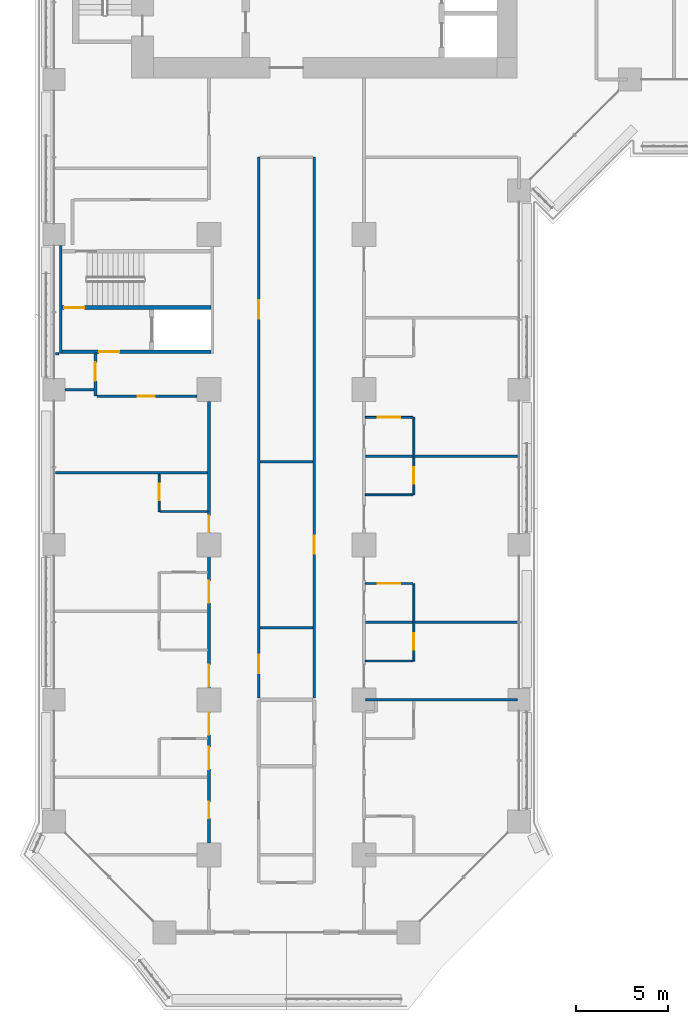
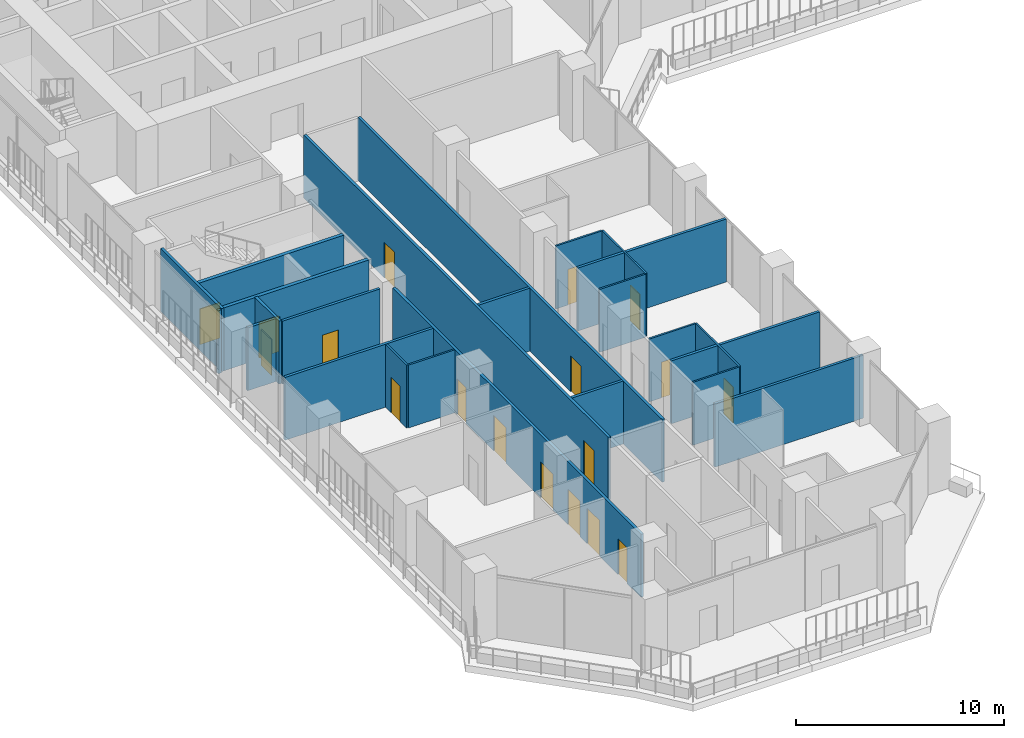
# One storey, part 13 of 28: 24 walls, 18 doors, 18 openings.
"""IFC4 building model written with IfcOpenShell, lengths in metres."""

from ifc_helpers import new_model, si_unit, direction, frame, frame_2d, origin, place, context, subcontext, project, spatial, rectangle, extrude, material, layer, layer_set, type_object, element, fill, save


model = new_model("IFC4")

# Units and contexts
model_context = context("Model", 3, precision=1e-05, world=origin(), true_north=direction((0.0, 1.0)))
body_context = subcontext(model_context, "Body", "Model", "MODEL_VIEW")
ifc_project = project(units=[si_unit("LENGTHUNIT", "METRE"), si_unit("AREAUNIT", "SQUARE_METRE"), si_unit("VOLUMEUNIT", "CUBIC_METRE"), si_unit("PLANEANGLEUNIT", "RADIAN"), si_unit("MASSUNIT", "GRAM", prefix="KILO")], contexts=[model_context])

# Site, building, storey
site_placement = place(None, origin())
site = spatial("IfcSite", under=ifc_project, at=site_placement, CompositionType="ELEMENT")
building_placement = place(site_placement, origin())
building = spatial("IfcBuilding", under=site, at=building_placement, Name="Kawkab Arch Medical Tower", CompositionType="ELEMENT")
storey_placement = place(building_placement, frame((0.0, 0.0, 89.60009765625)))
storey = spatial("IfcBuildingStorey", under=building, at=storey_placement, Name="L20", CompositionType="ELEMENT", Elevation=89.60009765625)

# Wall
ifc_material_1 = material(Name="Gypsum board partition on steel studs", Category="steel")
ifc_layer_1 = layer(ifc_material_1, 0.10009765625)
ifc_layer_set_1 = layer_set([ifc_layer_1], Name="Gypsum board partition on steel studs")
wall_type_1 = type_object("IfcWallType", Name="Partition 100", PredefinedType="PARTITIONING", material=ifc_layer_set_1)
wall_1_placement = place(storey_placement, frame((16.875, -56.699951171875, 0.0), z_axis=(0.0, 0.0, 1.0), x_axis=(1.0, 0.0, 0.0)))
element("IfcWall", 1, at=wall_1_placement, inside=storey, type_object=wall_type_1, Name="Partition 100 w004", PredefinedType="PARTITIONING", context=body_context, shape_type="SweptSolid", body=[
    extrude(rectangle(XDim=2.574951171875, YDim=0.10009765625, at=frame_2d((1.28759765625, 0.0))), origin(), (0.0, 0.0, 1.0), 3.699951171875),
])

# Wall, opening, door
wall_2_placement = place(storey_placement, frame((16.875, -52.5, 0.0), z_axis=(0.0, 0.0, 1.0), x_axis=(1.0, 0.0, 0.0)))
wall_2 = element("IfcWall", 2, at=wall_2_placement, inside=storey, type_object=wall_type_1, Name="Partition 100 w006", PredefinedType="PARTITIONING", context=body_context, shape_type="SweptSolid", body=[
    extrude(rectangle(XDim=2.574951171875, YDim=0.10009765625, at=frame_2d((1.28759765625, 0.0))), origin(), (0.0, 0.0, 1.0), 3.699951171875),
])
opening_1_placement = place(wall_2_placement, frame((0.675048828125, 0.0, 0.0)))
opening_1 = element("IfcOpeningElement", 3, at=opening_1_placement, cuts=wall_2, Name="Opening W13B-080", PredefinedType="OPENING", context=body_context, shape_type="SweptSolid", body=[
    extrude(rectangle(XDim=1.199951171875, YDim=2.10009765625, at=frame_2d((0.60009765625, 1.050048828125))), frame((0.0, 0.06005859375, 0.0), z_axis=(0.0, -1.0, 0.0), x_axis=(1.0, 0.0, 0.0)), (0.0, 0.0, 1.0), 0.1201171875),
])
ifc_material_2 = material(Name="Timber door leaf", Category="wood")
door_type_1 = type_object("IfcDoorType", Name="Single door 1200x2100", OperationType="NOTDEFINED", PredefinedType="DOOR", material=ifc_material_2)
door_1_placement = place(opening_1_placement, origin())
door_1 = element("IfcDoor", 4, at=door_1_placement, inside=storey, type_object=door_type_1, Name="Door W13B-080", OperationType="SINGLE_SWING_LEFT", OverallHeight=2.10009765625, OverallWidth=1.199951171875, PredefinedType="DOOR", context=body_context, shape_type="SweptSolid", body=[
    extrude(rectangle(XDim=1.199951171875, YDim=2.10009765625, at=frame_2d((0.60009765625, 1.050048828125))), frame((0.0, 0.02490234375, 0.0), z_axis=(0.0, -1.0, 0.0), x_axis=(1.0, 0.0, 0.0)), (0.0, 0.0, 1.0), 0.050048828125),
])
fill(opening_1, door_1)

# Walls
for number, where, z_axis, x_axis, name in (
    (5, (5.75, -48.60009765625, 0.0), (0.0, 0.0, 1.0), (1.0, 0.0, 0.0), "Partition 100 w008"),
    (6, (16.875, -47.699951171875, 0.0), (0.0, 0.0, 1.0), (1.0, 0.0, 0.0), "Partition 100 w009"),
):
    element("IfcWall", number, at=place(storey_placement, frame(where, z_axis=z_axis, x_axis=x_axis)), inside=storey, type_object=wall_type_1, Name=name, PredefinedType="PARTITIONING", context=body_context, shape_type="SweptSolid", body=[
        extrude(rectangle(XDim=2.574951171875, YDim=0.10009765625, at=frame_2d((1.28759765625, 0.0))), origin(), (0.0, 0.0, 1.0), 3.699951171875),
    ])

# Wall, opening, door
wall_3_placement = place(storey_placement, frame((16.875, -43.5, 0.0), z_axis=(0.0, 0.0, 1.0), x_axis=(1.0, 0.0, 0.0)))
wall_3 = element("IfcWall", 7, at=wall_3_placement, inside=storey, type_object=wall_type_1, Name="Partition 100 w010", PredefinedType="PARTITIONING", context=body_context, shape_type="SweptSolid", body=[
    extrude(rectangle(XDim=2.574951171875, YDim=0.10009765625, at=frame_2d((1.28759765625, 0.0))), origin(), (0.0, 0.0, 1.0), 3.699951171875),
])
opening_2_placement = place(wall_3_placement, frame((0.675048828125, 0.0, 0.0)))
opening_2 = element("IfcOpeningElement", 8, at=opening_2_placement, cuts=wall_3, Name="Opening W13B-076", PredefinedType="OPENING", context=body_context, shape_type="SweptSolid", body=[
    extrude(rectangle(XDim=1.199951171875, YDim=2.10009765625, at=frame_2d((0.60009765625, 1.050048828125))), frame((0.0, 0.06005859375, 0.0), z_axis=(0.0, -1.0, 0.0), x_axis=(1.0, 0.0, 0.0)), (0.0, 0.0, 1.0), 0.1201171875),
])
door_2_placement = place(opening_2_placement, origin())
door_2 = element("IfcDoor", 9, at=door_2_placement, inside=storey, type_object=door_type_1, Name="Door W13B-076", OperationType="SINGLE_SWING_RIGHT", OverallHeight=2.10009765625, OverallWidth=1.199951171875, PredefinedType="DOOR", context=body_context, shape_type="SweptSolid", body=[
    extrude(rectangle(XDim=1.199951171875, YDim=2.10009765625, at=frame_2d((0.60009765625, 1.050048828125))), frame((0.0, 0.02490234375, 0.0), z_axis=(0.0, -1.0, 0.0), x_axis=(1.0, 0.0, 0.0)), (0.0, 0.0, 1.0), 0.050048828125),
])
fill(opening_2, door_2)

wall_4_placement = place(storey_placement, frame((5.699951171875, -48.60009765625, 0.0), z_axis=(0.0, 0.0, 1.0), x_axis=(0.0, 1.0, 0.0)))
wall_4 = element("IfcWall", 10, at=wall_4_placement, inside=storey, type_object=wall_type_1, Name="Partition 100 w023", PredefinedType="PARTITIONING", context=body_context, shape_type="SweptSolid", body=[
    extrude(rectangle(XDim=2.025146484375, YDim=0.10009765625, at=frame_2d((1.0126953125, 0.0))), origin(), (0.0, 0.0, 1.0), 3.699951171875),
])
opening_3_placement = place(wall_4_placement, frame((0.60009765625, 0.0, 0.0)))
opening_3 = element("IfcOpeningElement", 11, at=opening_3_placement, cuts=wall_4, Name="Opening W13B-010", PredefinedType="OPENING", context=body_context, shape_type="SweptSolid", body=[
    extrude(rectangle(XDim=0.89990234375, YDim=2.10009765625, at=frame_2d((0.449951171875, 1.050048828125))), frame((0.0, 0.06005859375, 0.0), z_axis=(0.0, -1.0, 0.0), x_axis=(1.0, 0.0, 0.0)), (0.0, 0.0, 1.0), 0.1201171875),
])
ifc_material_3 = material(Name="Timber door leaf", Category="wood")
door_type_2 = type_object("IfcDoorType", Name="Single door 900x2100", OperationType="NOTDEFINED", PredefinedType="DOOR", material=ifc_material_3)
door_3_placement = place(opening_3_placement, origin())
door_3 = element("IfcDoor", 12, at=door_3_placement, inside=storey, type_object=door_type_2, Name="Door W13B-010", OperationType="SINGLE_SWING_LEFT", OverallHeight=2.10009765625, OverallWidth=0.89990234375, PredefinedType="DOOR", context=body_context, shape_type="SweptSolid", body=[
    extrude(rectangle(XDim=0.89990234375, YDim=2.10009765625, at=frame_2d((0.449951171875, 1.050048828125))), frame((0.0, 0.02490234375, 0.0), z_axis=(0.0, -1.0, 0.0), x_axis=(1.0, 0.0, 0.0)), (0.0, 0.0, 1.0), 0.050048828125),
])
fill(opening_3, door_3)

wall_5_placement = place(storey_placement, frame((19.5, -56.699951171875, 0.0), z_axis=(0.0, 0.0, 1.0), x_axis=(0.0, 1.0, 0.0)))
wall_5 = element("IfcWall", 13, at=wall_5_placement, inside=storey, type_object=wall_type_1, Name="Partition 100 w026", PredefinedType="PARTITIONING", context=body_context, shape_type="SweptSolid", body=[
    extrude(rectangle(XDim=4.199951171875, YDim=0.10009765625, at=frame_2d((2.10009765625, 0.0))), origin(), (0.0, 0.0, 1.0), 3.699951171875),
])
opening_4_placement = place(wall_5_placement, frame((0.60009765625, 0.0, 0.0)))
opening_4 = element("IfcOpeningElement", 14, at=opening_4_placement, cuts=wall_5, Name="Opening W13B-016", PredefinedType="OPENING", context=body_context, shape_type="SweptSolid", body=[
    extrude(rectangle(XDim=0.89990234375, YDim=2.10009765625, at=frame_2d((0.449951171875, 1.050048828125))), frame((0.0, 0.06005859375, 0.0), z_axis=(0.0, -1.0, 0.0), x_axis=(1.0, 0.0, 0.0)), (0.0, 0.0, 1.0), 0.1201171875),
])
door_4_placement = place(opening_4_placement, origin())
door_4 = element("IfcDoor", 15, at=door_4_placement, inside=storey, type_object=door_type_2, Name="Door W13B-016", OperationType="SINGLE_SWING_RIGHT", OverallHeight=2.10009765625, OverallWidth=0.89990234375, PredefinedType="DOOR", context=body_context, shape_type="SweptSolid", body=[
    extrude(rectangle(XDim=0.89990234375, YDim=2.10009765625, at=frame_2d((0.449951171875, 1.050048828125))), frame((0.0, 0.02490234375, 0.0), z_axis=(0.0, -1.0, 0.0), x_axis=(1.0, 0.0, 0.0)), (0.0, 0.0, 1.0), 0.050048828125),
])
fill(opening_4, door_4)

wall_6_placement = place(storey_placement, frame((19.5, -47.699951171875, 0.0), z_axis=(0.0, 0.0, 1.0), x_axis=(0.0, 1.0, 0.0)))
wall_6 = element("IfcWall", 16, at=wall_6_placement, inside=storey, type_object=wall_type_1, Name="Partition 100 w027", PredefinedType="PARTITIONING", context=body_context, shape_type="SweptSolid", body=[
    extrude(rectangle(XDim=4.199951171875, YDim=0.10009765625, at=frame_2d((2.10009765625, 0.0))), origin(), (0.0, 0.0, 1.0), 3.699951171875),
])
opening_5_placement = place(wall_6_placement, frame((0.60009765625, 0.0, 0.0)))
opening_5 = element("IfcOpeningElement", 17, at=opening_5_placement, cuts=wall_6, Name="Opening W13B-015", PredefinedType="OPENING", context=body_context, shape_type="SweptSolid", body=[
    extrude(rectangle(XDim=0.89990234375, YDim=2.10009765625, at=frame_2d((0.449951171875, 1.050048828125))), frame((0.0, 0.06005859375, 0.0), z_axis=(0.0, -1.0, 0.0), x_axis=(1.0, 0.0, 0.0)), (0.0, 0.0, 1.0), 0.1201171875),
])
door_5_placement = place(opening_5_placement, origin())
door_5 = element("IfcDoor", 18, at=door_5_placement, inside=storey, type_object=door_type_2, Name="Door W13B-015", OperationType="SINGLE_SWING_RIGHT", OverallHeight=2.10009765625, OverallWidth=0.89990234375, PredefinedType="DOOR", context=body_context, shape_type="SweptSolid", body=[
    extrude(rectangle(XDim=0.89990234375, YDim=2.10009765625, at=frame_2d((0.449951171875, 1.050048828125))), frame((0.0, 0.02490234375, 0.0), z_axis=(0.0, -1.0, 0.0), x_axis=(1.0, 0.0, 0.0)), (0.0, 0.0, 1.0), 0.050048828125),
])
fill(opening_5, door_5)

# Walls
ifc_material_4 = material(Name="Gypsum board partition on steel studs, mineral wool", Category="steel")
ifc_layer_2 = layer(ifc_material_4, 0.14990234375)
ifc_layer_set_2 = layer_set([ifc_layer_2], Name="Gypsum board partition on steel studs, mineral wool")
wall_type_2 = type_object("IfcWallType", Name="Partition 150", PredefinedType="PARTITIONING", material=ifc_layer_set_2)
wall_7_placement = place(storey_placement, frame((16.876953125, -58.800048828125, 0.0), z_axis=(0.0, 0.0, 1.0), x_axis=(1.0, 0.0, 0.0)))
element("IfcWall", 19, at=wall_7_placement, inside=storey, type_object=wall_type_2, Name="Partition 150 w049", PredefinedType="PARTITIONING", context=body_context, shape_type="SweptSolid", body=[
    extrude(rectangle(XDim=8.2431640625, YDim=0.14990234375, at=frame_2d((4.12158203125, 0.0))), origin(), (0.0, 0.0, 1.0), 3.699951171875),
])
wall_8_placement = place(storey_placement, frame((11.175048828125, -54.89990234375, 0.0), z_axis=(0.0, 0.0, 1.0), x_axis=(1.0, 0.0, 0.0)))
element("IfcWall", 20, at=wall_8_placement, inside=storey, type_object=wall_type_2, Name="Partition 150 w050", PredefinedType="PARTITIONING", context=body_context, shape_type="SweptSolid", body=[
    extrude(rectangle(XDim=2.849853515625, YDim=0.14990234375, at=frame_2d((1.4248046875, 0.0))), origin(), (0.0, 0.0, 1.0), 3.699951171875),
])
wall_9_placement = place(storey_placement, frame((16.875, -54.60009765625, 0.0), z_axis=(0.0, 0.0, 1.0), x_axis=(1.0, 0.0, 0.0)))
element("IfcWall", 21, at=wall_9_placement, inside=storey, type_object=wall_type_2, Name="Partition 150 w051", PredefinedType="PARTITIONING", context=body_context, shape_type="SweptSolid", body=[
    extrude(rectangle(XDim=8.2451171875, YDim=0.14990234375, at=frame_2d((4.12255859375, 0.0))), origin(), (0.0, 0.0, 1.0), 3.699951171875),
])
wall_10_placement = place(storey_placement, frame((0.080078125, -46.5, 0.0), z_axis=(0.0, 0.0, 1.0), x_axis=(1.0, 0.0, 0.0)))
element("IfcWall", 22, at=wall_10_placement, inside=storey, type_object=wall_type_2, Name="Partition 150 w053", PredefinedType="PARTITIONING", context=body_context, shape_type="SweptSolid", body=[
    extrude(rectangle(XDim=8.244873046875, YDim=0.14990234375, at=frame_2d((4.12255859375, 0.0))), origin(), (0.0, 0.0, 1.0), 3.699951171875),
])
wall_11_placement = place(storey_placement, frame((11.175048828125, -45.89990234375, 0.0), z_axis=(0.0, 0.0, 1.0), x_axis=(1.0, 0.0, 0.0)))
element("IfcWall", 23, at=wall_11_placement, inside=storey, type_object=wall_type_2, Name="Partition 150 w054", PredefinedType="PARTITIONING", context=body_context, shape_type="SweptSolid", body=[
    extrude(rectangle(XDim=2.849853515625, YDim=0.14990234375, at=frame_2d((1.4248046875, 0.0))), origin(), (0.0, 0.0, 1.0), 3.699951171875),
])
wall_12_placement = place(storey_placement, frame((16.875, -45.60009765625, 0.0), z_axis=(0.0, 0.0, 1.0), x_axis=(1.0, 0.0, 0.0)))
element("IfcWall", 24, at=wall_12_placement, inside=storey, type_object=wall_type_2, Name="Partition 150 w055", PredefinedType="PARTITIONING", context=body_context, shape_type="SweptSolid", body=[
    extrude(rectangle(XDim=8.2451171875, YDim=0.14990234375, at=frame_2d((4.12255859375, 0.0))), origin(), (0.0, 0.0, 1.0), 3.699951171875),
])

# Wall, opening, door
wall_13_placement = place(storey_placement, frame((2.327880859375, -42.35009765625, 0.0), z_axis=(0.0, 0.0, 1.0), x_axis=(1.0, 0.0, 0.0)))
wall_13 = element("IfcWall", 25, at=wall_13_placement, inside=storey, type_object=wall_type_2, Name="Partition 150 w056", PredefinedType="PARTITIONING", context=body_context, shape_type="SweptSolid", body=[
    extrude(rectangle(XDim=5.422119140625, YDim=0.14990234375, at=frame_2d((2.7109375, 0.0))), origin(), (0.0, 0.0, 1.0), 3.699951171875),
])
opening_6_placement = place(wall_13_placement, frame((2.22412109375, 0.0, 0.0)))
opening_6 = element("IfcOpeningElement", 26, at=opening_6_placement, cuts=wall_13, Name="Opening W13B-009", PredefinedType="OPENING", context=body_context, shape_type="SweptSolid", body=[
    extrude(rectangle(XDim=0.89990234375, YDim=2.10009765625, at=frame_2d((0.449951171875, 1.050048828125))), frame((0.0, 0.0849609375, 0.0), z_axis=(0.0, -1.0, 0.0), x_axis=(1.0, 0.0, 0.0)), (0.0, 0.0, 1.0), 0.169921875),
])
door_6_placement = place(opening_6_placement, origin())
door_6 = element("IfcDoor", 27, at=door_6_placement, inside=storey, type_object=door_type_2, Name="Door W13B-009", OperationType="SINGLE_SWING_RIGHT", OverallHeight=2.10009765625, OverallWidth=0.89990234375, PredefinedType="DOOR", context=body_context, shape_type="SweptSolid", body=[
    extrude(rectangle(XDim=0.89990234375, YDim=2.10009765625, at=frame_2d((0.449951171875, 1.050048828125))), frame((0.0, 0.02490234375, 0.0), z_axis=(0.0, -1.0, 0.0), x_axis=(1.0, 0.0, 0.0)), (0.0, 0.0, 1.0), 0.050048828125),
])
fill(opening_6, door_6)

# Walls
wall_14_placement = place(storey_placement, frame((0.60009765625, -42.0, 0.0), z_axis=(0.0, 0.0, 1.0), x_axis=(1.0, 0.0, 0.0)))
element("IfcWall", 28, at=wall_14_placement, inside=storey, type_object=wall_type_2, Name="Partition 150 w057", PredefinedType="PARTITIONING", context=body_context, shape_type="SweptSolid", body=[
    extrude(rectangle(XDim=1.574951171875, YDim=0.14990234375, at=frame_2d((0.78759765625, 0.0))), origin(), (0.0, 0.0, 1.0), 3.699951171875),
])
wall_15_placement = place(storey_placement, frame((0.080078125, -40.050048828125, 0.0), z_axis=(0.0, 0.0, 1.0), x_axis=(1.0, 0.0, 0.0)))
element("IfcWall", 29, at=wall_15_placement, inside=storey, type_object=wall_type_2, Name="Partition 150 w058", PredefinedType="PARTITIONING", context=body_context, shape_type="SweptSolid", body=[
    extrude(rectangle(XDim=0.18994140625, YDim=0.14990234375, at=frame_2d((0.094970703125, 0.0))), origin(), (0.0, 0.0, 1.0), 3.699951171875),
])

# Wall, opening, door
wall_16_placement = place(storey_placement, frame((2.25, -42.346923828125, 0.0), z_axis=(0.0, 0.0, 1.0), x_axis=(0.0, 1.0, 0.0)))
wall_16 = element("IfcWall", 30, at=wall_16_placement, inside=storey, type_object=wall_type_2, Name="Partition 150 w081", PredefinedType="PARTITIONING", context=body_context, shape_type="SweptSolid", body=[
    extrude(rectangle(XDim=2.346923828125, YDim=0.14990234375, at=frame_2d((1.17333984375, 0.0))), origin(), (0.0, 0.0, 1.0), 3.699951171875),
])
opening_7_placement = place(wall_16_placement, frame((0.822021484375, 0.0, 0.0)))
opening_7 = element("IfcOpeningElement", 31, at=opening_7_placement, cuts=wall_16, Name="Opening W13B-028", PredefinedType="OPENING", context=body_context, shape_type="SweptSolid", body=[
    extrude(rectangle(XDim=1.0, YDim=2.10009765625, at=frame_2d((0.5, 1.050048828125))), frame((0.0, 0.0849609375, 0.0), z_axis=(0.0, -1.0, 0.0), x_axis=(1.0, 0.0, 0.0)), (0.0, 0.0, 1.0), 0.169921875),
])
ifc_material_5 = material(Name="Hollow metal door leaf")
door_type_3 = type_object("IfcDoorType", Name="Single door 1000x2100 FD30S", OperationType="NOTDEFINED", PredefinedType="DOOR", material=ifc_material_5)
door_7_placement = place(opening_7_placement, origin())
door_7 = element("IfcDoor", 32, at=door_7_placement, inside=storey, type_object=door_type_3, Name="Door W13B-028", OperationType="SINGLE_SWING_RIGHT", OverallHeight=2.10009765625, OverallWidth=1.0, PredefinedType="DOOR", context=body_context, shape_type="SweptSolid", body=[
    extrude(rectangle(XDim=1.0, YDim=2.10009765625, at=frame_2d((0.5, 1.050048828125))), frame((0.0, 0.02490234375, 0.0), z_axis=(0.0, -1.0, 0.0), x_axis=(1.0, 0.0, 0.0)), (0.0, 0.0, 1.0), 0.050048828125),
])
fill(opening_7, door_7)

# Wall, openings, doors
wall_17_placement = place(storey_placement, frame((8.39990234375, -66.550048828125, 0.0), z_axis=(0.0, 0.0, 1.0), x_axis=(0.0, 1.0, 0.0)))
wall_17 = element("IfcWall", 33, at=wall_17_placement, inside=storey, type_object=wall_type_2, Name="Partition 150 w083", PredefinedType="PARTITIONING", context=body_context, shape_type="SweptSolid", body=[
    extrude(rectangle(XDim=23.900146484375, YDim=0.14990234375, at=frame_2d((11.9501953125, 0.0))), origin(), (0.0, 0.0, 1.0), 3.699951171875),
])
opening_8_placement = place(wall_17_placement, frame((16.824951171875, 0.0, 0.0)))
opening_8 = element("IfcOpeningElement", 34, at=opening_8_placement, cuts=wall_17, Name="Opening W13B-018", PredefinedType="OPENING", context=body_context, shape_type="SweptSolid", body=[
    extrude(rectangle(XDim=0.89990234375, YDim=2.10009765625, at=frame_2d((0.449951171875, 1.050048828125))), frame((0.0, 0.0849609375, 0.0), z_axis=(0.0, -1.0, 0.0), x_axis=(1.0, 0.0, 0.0)), (0.0, 0.0, 1.0), 0.169921875),
])
opening_9_placement = place(wall_17_placement, frame((13.0, 0.0, 0.0)))
opening_9 = element("IfcOpeningElement", 35, at=opening_9_placement, cuts=wall_17, Name="Opening W13B-068", PredefinedType="OPENING", context=body_context, shape_type="SweptSolid", body=[
    extrude(rectangle(XDim=1.199951171875, YDim=2.10009765625, at=frame_2d((0.60009765625, 1.050048828125))), frame((0.0, 0.0849609375, 0.0), z_axis=(0.0, -1.0, 0.0), x_axis=(1.0, 0.0, 0.0)), (0.0, 0.0, 1.0), 0.169921875),
])
opening_10_placement = place(wall_17_placement, frame((5.85009765625, 0.0, 0.0)))
opening_10 = element("IfcOpeningElement", 36, at=opening_10_placement, cuts=wall_17, Name="Opening W13B-070", PredefinedType="OPENING", context=body_context, shape_type="SweptSolid", body=[
    extrude(rectangle(XDim=1.199951171875, YDim=2.10009765625, at=frame_2d((0.60009765625, 1.050048828125))), frame((0.0, 0.0849609375, 0.0), z_axis=(0.0, -1.0, 0.0), x_axis=(1.0, 0.0, 0.0)), (0.0, 0.0, 1.0), 0.169921875),
])
opening_11_placement = place(wall_17_placement, frame((8.449951171875, 0.0, 0.0)))
opening_11 = element("IfcOpeningElement", 37, at=opening_11_placement, cuts=wall_17, Name="Opening W13B-071", PredefinedType="OPENING", context=body_context, shape_type="SweptSolid", body=[
    extrude(rectangle(XDim=1.199951171875, YDim=2.10009765625, at=frame_2d((0.60009765625, 1.050048828125))), frame((0.0, 0.0849609375, 0.0), z_axis=(0.0, -1.0, 0.0), x_axis=(1.0, 0.0, 0.0)), (0.0, 0.0, 1.0), 0.169921875),
])
opening_12_placement = place(wall_17_placement, frame((4.0, 0.0, 0.0)))
opening_12 = element("IfcOpeningElement", 38, at=opening_12_placement, cuts=wall_17, Name="Opening W13B-072", PredefinedType="OPENING", context=body_context, shape_type="SweptSolid", body=[
    extrude(rectangle(XDim=1.199951171875, YDim=2.10009765625, at=frame_2d((0.60009765625, 1.050048828125))), frame((0.0, 0.0849609375, 0.0), z_axis=(0.0, -1.0, 0.0), x_axis=(1.0, 0.0, 0.0)), (0.0, 0.0, 1.0), 0.169921875),
])
opening_13_placement = place(wall_17_placement, frame((1.324951171875, 0.0, 0.0)))
opening_13 = element("IfcOpeningElement", 39, at=opening_13_placement, cuts=wall_17, Name="Opening W13B-012", PredefinedType="OPENING", context=body_context, shape_type="SweptSolid", body=[
    extrude(rectangle(XDim=0.89990234375, YDim=2.10009765625, at=frame_2d((0.449951171875, 1.050048828125))), frame((0.0, 0.0849609375, 0.0), z_axis=(0.0, -1.0, 0.0), x_axis=(1.0, 0.0, 0.0)), (0.0, 0.0, 1.0), 0.169921875),
])
ifc_material_6 = material(Name="Hollow metal door leaf")
door_type_4 = type_object("IfcDoorType", Name="Single door 1200x2100 FD30S", OperationType="NOTDEFINED", PredefinedType="DOOR", material=ifc_material_6)
door_8_placement = place(opening_9_placement, origin())
door_8 = element("IfcDoor", 40, at=door_8_placement, inside=storey, type_object=door_type_4, Name="Door W13B-068", OperationType="SINGLE_SWING_RIGHT", OverallHeight=2.10009765625, OverallWidth=1.199951171875, PredefinedType="DOOR", context=body_context, shape_type="SweptSolid", body=[
    extrude(rectangle(XDim=1.199951171875, YDim=2.10009765625, at=frame_2d((0.60009765625, 1.050048828125))), frame((0.0, 0.02490234375, 0.0), z_axis=(0.0, -1.0, 0.0), x_axis=(1.0, 0.0, 0.0)), (0.0, 0.0, 1.0), 0.050048828125),
])
fill(opening_9, door_8)
door_9_placement = place(opening_10_placement, origin())
door_9 = element("IfcDoor", 41, at=door_9_placement, inside=storey, type_object=door_type_4, Name="Door W13B-070", OperationType="SINGLE_SWING_LEFT", OverallHeight=2.10009765625, OverallWidth=1.199951171875, PredefinedType="DOOR", context=body_context, shape_type="SweptSolid", body=[
    extrude(rectangle(XDim=1.199951171875, YDim=2.10009765625, at=frame_2d((0.60009765625, 1.050048828125))), frame((0.0, 0.02490234375, 0.0), z_axis=(0.0, -1.0, 0.0), x_axis=(1.0, 0.0, 0.0)), (0.0, 0.0, 1.0), 0.050048828125),
])
fill(opening_10, door_9)
door_10_placement = place(opening_11_placement, origin())
door_10 = element("IfcDoor", 42, at=door_10_placement, inside=storey, type_object=door_type_4, Name="Door W13B-071", OperationType="SINGLE_SWING_LEFT", OverallHeight=2.10009765625, OverallWidth=1.199951171875, PredefinedType="DOOR", context=body_context, shape_type="SweptSolid", body=[
    extrude(rectangle(XDim=1.199951171875, YDim=2.10009765625, at=frame_2d((0.60009765625, 1.050048828125))), frame((0.0, 0.02490234375, 0.0), z_axis=(0.0, -1.0, 0.0), x_axis=(1.0, 0.0, 0.0)), (0.0, 0.0, 1.0), 0.050048828125),
])
fill(opening_11, door_10)
door_11_placement = place(opening_12_placement, origin())
door_11 = element("IfcDoor", 43, at=door_11_placement, inside=storey, type_object=door_type_4, Name="Door W13B-072", OperationType="SINGLE_SWING_LEFT", OverallHeight=2.10009765625, OverallWidth=1.199951171875, PredefinedType="DOOR", context=body_context, shape_type="SweptSolid", body=[
    extrude(rectangle(XDim=1.199951171875, YDim=2.10009765625, at=frame_2d((0.60009765625, 1.050048828125))), frame((0.0, 0.02490234375, 0.0), z_axis=(0.0, -1.0, 0.0), x_axis=(1.0, 0.0, 0.0)), (0.0, 0.0, 1.0), 0.050048828125),
])
fill(opening_12, door_11)
door_12_placement = place(opening_13_placement, origin())
door_12 = element("IfcDoor", 44, at=door_12_placement, inside=storey, type_object=door_type_2, Name="Door W13B-012", OperationType="SINGLE_SWING_LEFT", OverallHeight=2.10009765625, OverallWidth=0.89990234375, PredefinedType="DOOR", context=body_context, shape_type="SweptSolid", body=[
    extrude(rectangle(XDim=0.89990234375, YDim=2.10009765625, at=frame_2d((0.449951171875, 1.050048828125))), frame((0.0, 0.02490234375, 0.0), z_axis=(0.0, -1.0, 0.0), x_axis=(1.0, 0.0, 0.0)), (0.0, 0.0, 1.0), 0.050048828125),
])
fill(opening_13, door_12)
ifc_material_7 = material(Name="Hollow metal door leaf")
door_type_5 = type_object("IfcDoorType", Name="Single door 900x2100 FD30S", OperationType="NOTDEFINED", PredefinedType="DOOR", material=ifc_material_7)
door_13_placement = place(opening_8_placement, origin())
door_13 = element("IfcDoor", 45, at=door_13_placement, inside=storey, type_object=door_type_5, Name="Door W13B-018", OperationType="SINGLE_SWING_RIGHT", OverallHeight=2.10009765625, OverallWidth=0.89990234375, PredefinedType="DOOR", context=body_context, shape_type="SweptSolid", body=[
    extrude(rectangle(XDim=0.89990234375, YDim=2.10009765625, at=frame_2d((0.449951171875, 1.050048828125))), frame((0.0, 0.02490234375, 0.0), z_axis=(0.0, -1.0, 0.0), x_axis=(1.0, 0.0, 0.0)), (0.0, 0.0, 1.0), 0.050048828125),
])
fill(opening_8, door_13)

wall_18_placement = place(storey_placement, frame((11.10009765625, -58.699951171875, 0.0), z_axis=(0.0, 0.0, 1.0), x_axis=(0.0, 1.0, 0.0)))
wall_18 = element("IfcWall", 46, at=wall_18_placement, inside=storey, type_object=wall_type_2, Name="Partition 150 w087", PredefinedType="PARTITIONING", context=body_context, shape_type="SweptSolid", body=[
    extrude(rectangle(XDim=29.300048828125, YDim=0.14990234375, at=frame_2d((14.64990234375, 0.0))), origin(), (0.0, 0.0, 1.0), 3.699951171875),
])
opening_14_placement = place(wall_18_placement, frame((20.550048828125, 0.0, 0.0)))
opening_14 = element("IfcOpeningElement", 47, at=opening_14_placement, cuts=wall_18, Name="Opening W13B-030", PredefinedType="OPENING", context=body_context, shape_type="SweptSolid", body=[
    extrude(rectangle(XDim=1.0, YDim=2.10009765625, at=frame_2d((0.5, 1.050048828125))), frame((0.0, 0.0849609375, 0.0), z_axis=(0.0, -1.0, 0.0), x_axis=(1.0, 0.0, 0.0)), (0.0, 0.0, 1.0), 0.169921875),
])
opening_15_placement = place(wall_18_placement, frame((1.35009765625, 0.0, 0.0)))
opening_15 = element("IfcOpeningElement", 48, at=opening_15_placement, cuts=wall_18, Name="Opening W13B-032", PredefinedType="OPENING", context=body_context, shape_type="SweptSolid", body=[
    extrude(rectangle(XDim=1.0, YDim=2.10009765625, at=frame_2d((0.5, 1.050048828125))), frame((0.0, 0.0849609375, 0.0), z_axis=(0.0, -1.0, 0.0), x_axis=(1.0, 0.0, 0.0)), (0.0, 0.0, 1.0), 0.169921875),
])
door_14_placement = place(opening_14_placement, origin())
door_14 = element("IfcDoor", 49, at=door_14_placement, inside=storey, type_object=door_type_3, Name="Door W13B-030", OperationType="SINGLE_SWING_LEFT", OverallHeight=2.10009765625, OverallWidth=1.0, PredefinedType="DOOR", context=body_context, shape_type="SweptSolid", body=[
    extrude(rectangle(XDim=1.0, YDim=2.10009765625, at=frame_2d((0.5, 1.050048828125))), frame((0.0, 0.02490234375, 0.0), z_axis=(0.0, -1.0, 0.0), x_axis=(1.0, 0.0, 0.0)), (0.0, 0.0, 1.0), 0.050048828125),
])
fill(opening_14, door_14)
door_15_placement = place(opening_15_placement, origin())
door_15 = element("IfcDoor", 50, at=door_15_placement, inside=storey, type_object=door_type_3, Name="Door W13B-032", OperationType="SINGLE_SWING_RIGHT", OverallHeight=2.10009765625, OverallWidth=1.0, PredefinedType="DOOR", context=body_context, shape_type="SweptSolid", body=[
    extrude(rectangle(XDim=1.0, YDim=2.10009765625, at=frame_2d((0.5, 1.050048828125))), frame((0.0, 0.02490234375, 0.0), z_axis=(0.0, -1.0, 0.0), x_axis=(1.0, 0.0, 0.0)), (0.0, 0.0, 1.0), 0.050048828125),
])
fill(opening_15, door_15)

# Wall, opening, door
wall_19_placement = place(storey_placement, frame((14.10009765625, -58.699951171875, 0.0), z_axis=(0.0, 0.0, 1.0), x_axis=(0.0, 1.0, 0.0)))
wall_19 = element("IfcWall", 51, at=wall_19_placement, inside=storey, type_object=wall_type_2, Name="Partition 150 w089", PredefinedType="PARTITIONING", context=body_context, shape_type="SweptSolid", body=[
    extrude(rectangle(XDim=29.300048828125, YDim=0.14990234375, at=frame_2d((14.64990234375, 0.0))), origin(), (0.0, 0.0, 1.0), 3.699951171875),
])
opening_16_placement = place(wall_19_placement, frame((7.800048828125, 0.0, 0.0)))
opening_16 = element("IfcOpeningElement", 52, at=opening_16_placement, cuts=wall_19, Name="Opening W13B-031", PredefinedType="OPENING", context=body_context, shape_type="SweptSolid", body=[
    extrude(rectangle(XDim=1.0, YDim=2.10009765625, at=frame_2d((0.5, 1.050048828125))), frame((0.0, 0.0849609375, 0.0), z_axis=(0.0, -1.0, 0.0), x_axis=(1.0, 0.0, 0.0)), (0.0, 0.0, 1.0), 0.169921875),
])
door_16_placement = place(opening_16_placement, origin())
door_16 = element("IfcDoor", 53, at=door_16_placement, inside=storey, type_object=door_type_3, Name="Door W13B-031", OperationType="SINGLE_SWING_LEFT", OverallHeight=2.10009765625, OverallWidth=1.0, PredefinedType="DOOR", context=body_context, shape_type="SweptSolid", body=[
    extrude(rectangle(XDim=1.0, YDim=2.10009765625, at=frame_2d((0.5, 1.050048828125))), frame((0.0, 0.02490234375, 0.0), z_axis=(0.0, -1.0, 0.0), x_axis=(1.0, 0.0, 0.0)), (0.0, 0.0, 1.0), 0.050048828125),
])
fill(opening_16, door_16)

# Wall
ifc_material_8 = material(Name="Concrete C50/60", Category="concrete")
ifc_layer_3 = layer(ifc_material_8, 0.14990234375)
ifc_layer_set_3 = layer_set([ifc_layer_3], Name="Concrete C50/60")
wall_type_3 = type_object("IfcWallType", Name="Stair enclosure wall 150 C50/60", PredefinedType="SHEAR", material=ifc_layer_set_3)
wall_20_placement = place(storey_placement, frame((0.375, -40.050048828125, 0.0), z_axis=(0.0, 0.0, 1.0), x_axis=(0.0, 1.0, 0.0)))
element("IfcWall", 54, at=wall_20_placement, inside=storey, type_object=wall_type_3, Name="L20 stair enclosure wall", PredefinedType="SHEAR", context=body_context, shape_type="SweptSolid", body=[
    extrude(rectangle(XDim=5.85009765625, YDim=0.14990234375, at=frame_2d((2.925048828125, 0.0))), origin(), (0.0, 0.0, 1.0), 3.699951171875),
])

# Wall, opening, door
ifc_material_9 = material(Name="Concrete C50/60", Category="concrete")
ifc_layer_4 = layer(ifc_material_9, 0.199951171875)
ifc_layer_set_4 = layer_set([ifc_layer_4], Name="Concrete C50/60")
wall_type_4 = type_object("IfcWallType", Name="Stair enclosure wall 200 C50/60", PredefinedType="SHEAR", material=ifc_layer_set_4)
wall_21_placement = place(storey_placement, frame((0.449951171875, -37.550048828125, 0.0), z_axis=(0.0, 0.0, 1.0), x_axis=(1.0, 0.0, 0.0)))
wall_21 = element("IfcWall", 55, at=wall_21_placement, inside=storey, type_object=wall_type_4, Name="L20 stair enclosure wall", PredefinedType="SHEAR", context=body_context, shape_type="SweptSolid", body=[
    extrude(rectangle(XDim=8.050048828125, YDim=0.199951171875, at=frame_2d((4.02490234375, 0.0))), origin(), (0.0, 0.0, 1.0), 3.699951171875),
])
opening_17_placement = place(wall_21_placement, frame((0.10009765625, 0.0, 0.0)))
opening_17 = element("IfcOpeningElement", 56, at=opening_17_placement, cuts=wall_21, Name="Opening SD", PredefinedType="OPENING", context=body_context, shape_type="SweptSolid", body=[
    extrude(rectangle(XDim=1.10009765625, YDim=2.10009765625, at=frame_2d((0.550048828125, 1.050048828125))), frame((0.0, 0.10986328125, 0.0), z_axis=(0.0, -1.0, 0.0), x_axis=(1.0, 0.0, 0.0)), (0.0, 0.0, 1.0), 0.219970703125),
])
ifc_material_10 = material(Name="Hollow metal fire door leaf")
door_type_6 = type_object("IfcDoorType", Name="Exit stair door 1100", OperationType="SINGLE_SWING_LEFT", PredefinedType="DOOR", material=ifc_material_10)
door_17_placement = place(opening_17_placement, frame((1.10009765625, 0.0, 0.0), z_axis=(0.0, 0.0, 1.0), x_axis=(-1.0, 0.0, 0.0)))
door_17 = element("IfcDoor", 57, at=door_17_placement, inside=storey, type_object=door_type_6, Name="L20 Exit stair ST6 lobby door", OperationType="SINGLE_SWING_LEFT", OverallHeight=2.10009765625, OverallWidth=1.10009765625, PredefinedType="DOOR", context=body_context, shape_type="SweptSolid", body=[
    extrude(rectangle(XDim=1.10009765625, YDim=2.10009765625, at=frame_2d((0.550048828125, 1.050048828125))), frame((0.0, 0.02490234375, 0.0), z_axis=(0.0, -1.0, 0.0), x_axis=(1.0, 0.0, 0.0)), (0.0, 0.0, 1.0), 0.050048828125),
])
fill(opening_17, door_17)

wall_22_placement = place(storey_placement, frame((0.449951171875, -39.949951171875, 0.0), z_axis=(0.0, 0.0, 1.0), x_axis=(1.0, 0.0, 0.0)))
wall_22 = element("IfcWall", 58, at=wall_22_placement, inside=storey, type_object=wall_type_4, Name="L20 stair enclosure wall", PredefinedType="SHEAR", context=body_context, shape_type="SweptSolid", body=[
    extrude(rectangle(XDim=8.050048828125, YDim=0.199951171875, at=frame_2d((4.02490234375, 0.0))), origin(), (0.0, 0.0, 1.0), 3.699951171875),
])
opening_18_placement = place(wall_22_placement, frame((2.0, 0.0, 0.0)))
opening_18 = element("IfcOpeningElement", 59, at=opening_18_placement, cuts=wall_22, Name="Opening FD", PredefinedType="OPENING", context=body_context, shape_type="SweptSolid", body=[
    extrude(rectangle(XDim=1.10009765625, YDim=2.10009765625, at=frame_2d((0.550048828125, 1.050048828125))), frame((0.0, 0.10986328125, 0.0), z_axis=(0.0, -1.0, 0.0), x_axis=(1.0, 0.0, 0.0)), (0.0, 0.0, 1.0), 0.219970703125),
])
ifc_material_11 = material(Name="Hollow metal fire door leaf")
door_type_7 = type_object("IfcDoorType", Name="Firefighting lobby door 1100", OperationType="SINGLE_SWING_LEFT", PredefinedType="DOOR", material=ifc_material_11)
door_18_placement = place(opening_18_placement, origin())
door_18 = element("IfcDoor", 60, at=door_18_placement, inside=storey, type_object=door_type_7, Name="L20 Service lift lobby door SV2", OperationType="SINGLE_SWING_LEFT", OverallHeight=2.10009765625, OverallWidth=1.10009765625, PredefinedType="DOOR", context=body_context, shape_type="SweptSolid", body=[
    extrude(rectangle(XDim=1.10009765625, YDim=2.10009765625, at=frame_2d((0.550048828125, 1.050048828125))), frame((0.0, 0.02490234375, 0.0), z_axis=(0.0, -1.0, 0.0), x_axis=(1.0, 0.0, 0.0)), (0.0, 0.0, 1.0), 0.050048828125),
])
fill(opening_18, door_18)

save(model, "model.ifc")
